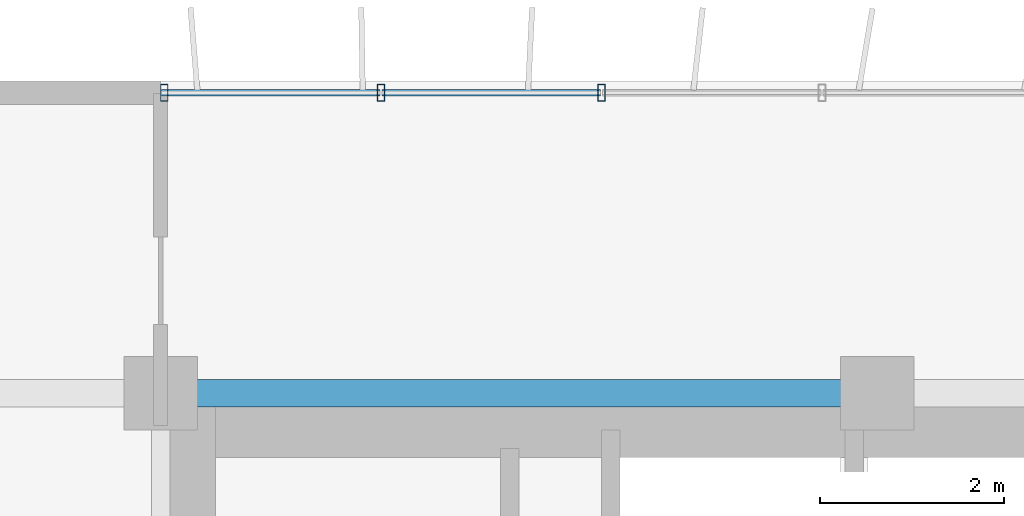
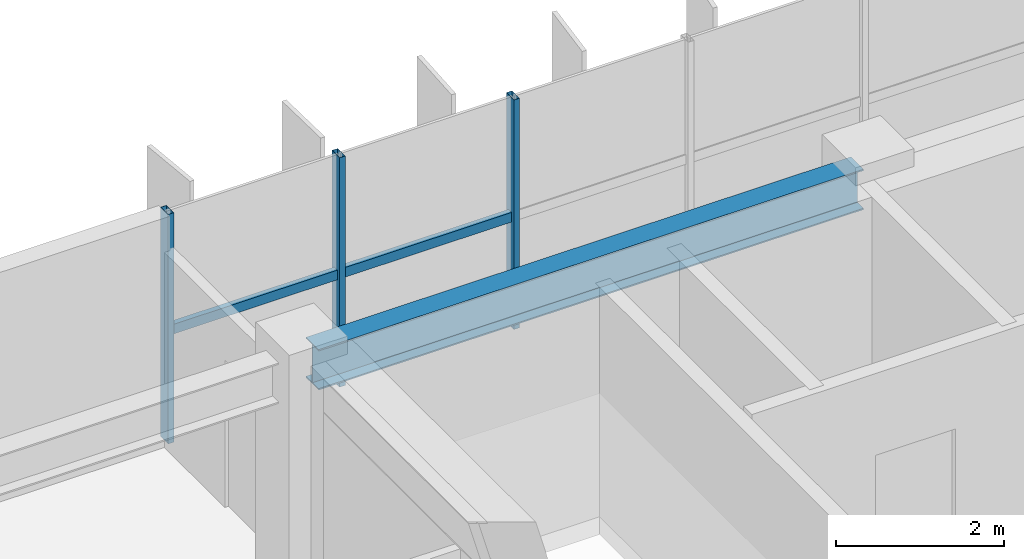
# One storey, part 9 of 26: 5 members, 1 beam, 1 element without a shape of its own.
"""IFC4 building model written with IfcOpenShell, lengths in metres."""

from ifc_helpers import new_model, si_unit, direction, frame, origin, origin_2d, place, context, subcontext, project, spatial, hollow_rectangle, i_section, extrude, source, transform, mapped, material, material_profile, profile_set, type_object, element, aggregate, save


model = new_model("IFC4")

# Units and contexts
model_context = context("Model", 3, precision=1e-05, world=origin(), true_north=direction((0.0, 1.0)))
body_context = subcontext(model_context, "Body", "Model", "MODEL_VIEW")
ifc_project = project(units=[si_unit("LENGTHUNIT", "METRE"), si_unit("AREAUNIT", "SQUARE_METRE"), si_unit("VOLUMEUNIT", "CUBIC_METRE"), si_unit("PLANEANGLEUNIT", "RADIAN"), si_unit("MASSUNIT", "GRAM", prefix="KILO")], contexts=[model_context])

# Site, building, storey
site_placement = place(None, origin())
site = spatial("IfcSite", under=ifc_project, at=site_placement, CompositionType="ELEMENT")
building_placement = place(site_placement, origin())
building = spatial("IfcBuilding", under=site, at=building_placement, Name="Trelvane Seafront Commons", CompositionType="ELEMENT")
storey_placement = place(building_placement, frame((0.0, 0.0, 124.89990234375)))
storey = spatial("IfcBuildingStorey", under=building, at=storey_placement, Name="L32", CompositionType="ELEMENT", Elevation=124.89990234375)

# Beam
ifc_material_1 = material(Name="Steel SM355 (S355)", Category="steel")
ifc_material_profile_1 = material_profile(ifc_material_1, i_section(OverallWidth=0.300048828125, OverallDepth=0.587890625, WebThickness=0.011962890625, FlangeThickness=0.02001953125, at=origin_2d()), Name="H-588x300x12x20")
ifc_profile_set_1 = profile_set([ifc_material_profile_1], Name="Steel SM355 (S355)")
beam_type = type_object("IfcBeamType", Name="STR-BM-H588", PredefinedType="BEAM", material=ifc_profile_set_1)
shared_shape_1 = source(origin(), body_context, "Body", "SweptSolid", [
    extrude(i_section(OverallWidth=0.300048828125, OverallDepth=0.587890625, WebThickness=0.011962890625, FlangeThickness=0.02001953125, at=origin_2d()), origin(), (0.0, 0.0, 1.0), 7.5),
])
beam_placement = place(storey_placement, frame((15.75, 45.10009765625, 3.046142578125), z_axis=(1.0, 0.0, 0.0), x_axis=(0.0, 1.0, 0.0)))
element("IfcBeam", 1, at=beam_placement, inside=storey, type_object=beam_type, Name="L32 Primary Girder G-30", PredefinedType="BEAM", context=body_context, shape_type="MappedRepresentation", body=[
    mapped(shared_shape_1, transform((0.0, 0.0, 0.0), x_axis=(1.0, 0.0, 0.0), y_axis=(0.0, 1.0, 0.0), z_axis=(0.0, 0.0, 1.0), scale=1.0)),
])

# Curtain wall, members
ifc_material_2 = material(Name="Anodised pale-silver aluminium", Category="aluminium")
curtain_wall_type = type_object("IfcCurtainWallType", Name="ARCH-CW4-SKYLOBBY", PredefinedType="NOTDEFINED", material=ifc_material_2)
curtain_wall_placement = place(storey_placement, origin())
curtain_wall = element("IfcCurtainWall", 2, at=curtain_wall_placement, inside=storey, type_object=curtain_wall_type, Name="CW-L32-0057", PredefinedType="NOTDEFINED")
ifc_material_profile_2 = material_profile(ifc_material_2, hollow_rectangle(XDim=0.074951171875, YDim=0.139892578125, WallThickness=0.00390625, at=origin_2d()), Name="TRAN-75x140x4")
ifc_profile_set_2 = profile_set([ifc_material_profile_2], Name="Anodised pale-silver aluminium")
member_type_1 = type_object("IfcMemberType", Name="ARCH-CW-TRAN-140", PredefinedType="USERDEFINED", material=ifc_profile_set_2)
shared_shape_2 = source(origin(), body_context, "Body", "SweptSolid", [
    extrude(hollow_rectangle(XDim=0.074951171875, YDim=0.139892578125, WallThickness=0.00390625, at=origin_2d()), origin(), (0.0, 0.0, 1.0), 2.3759765625),
])
member_1_placement = place(storey_placement, frame((15.612060546875, 48.3701171875, 1.60302734375), z_axis=(1.0, 0.0, 0.0), x_axis=(0.0, 1.0, 0.0)))
member_1 = element("IfcMember", 3, at=member_1_placement, type_object=member_type_1, Name="CW-L32-0057-T00", ObjectType="TRANSOM", PredefinedType="USERDEFINED", context=body_context, shape_type="MappedRepresentation", body=[
    mapped(shared_shape_2, transform((0.0, 0.0, 0.0), x_axis=(1.0, 0.0, 0.0), y_axis=(0.0, 1.0, 0.0), z_axis=(0.0, 0.0, 1.0), scale=1.0)),
])
member_2_placement = place(storey_placement, frame((18.011962890625, 48.3701171875, 1.60302734375), z_axis=(1.0, 0.0, 0.0), x_axis=(0.0, 1.0, 0.0)))
member_2 = element("IfcMember", 4, at=member_2_placement, type_object=member_type_1, Name="CW-L32-0057-T01", ObjectType="TRANSOM", PredefinedType="USERDEFINED", context=body_context, shape_type="MappedRepresentation", body=[
    mapped(shared_shape_2, transform((0.0, 0.0, 0.0), x_axis=(1.0, 0.0, 0.0), y_axis=(0.0, 1.0, 0.0), z_axis=(0.0, 0.0, 1.0), scale=1.0)),
])
ifc_material_profile_3 = material_profile(ifc_material_2, hollow_rectangle(XDim=0.080078125, YDim=0.179931640625, WallThickness=0.00439453125, at=origin_2d()), Name="MULL-80x180x4.5")
ifc_profile_set_3 = profile_set([ifc_material_profile_3], Name="Anodised pale-silver aluminium")
member_type_2 = type_object("IfcMemberType", Name="ARCH-CW-MULL-180", PredefinedType="MULLION", material=ifc_profile_set_3)
shared_shape_3 = source(origin(), body_context, "Body", "SweptSolid", [
    extrude(hollow_rectangle(XDim=0.080078125, YDim=0.179931640625, WallThickness=0.00439453125, at=origin_2d()), origin(), (0.0, 0.0, 1.0), 3.340087890625),
])
member_3_placement = place(storey_placement, frame((15.639892578125, 48.3701171875, 0.0), z_axis=(0.0, 0.0, 1.0), x_axis=(1.0, 0.0, 0.0)))
member_3 = element("IfcMember", 5, at=member_3_placement, type_object=member_type_2, Name="CW-L32-0057-M00", PredefinedType="MULLION", context=body_context, shape_type="MappedRepresentation", body=[
    mapped(shared_shape_3, transform((0.0, 0.0, 0.0), x_axis=(1.0, 0.0, 0.0), y_axis=(0.0, 1.0, 0.0), z_axis=(0.0, 0.0, 1.0), scale=1.0)),
])
member_4_placement = place(storey_placement, frame((18.0, 48.3701171875, 0.0), z_axis=(0.0, 0.0, 1.0), x_axis=(1.0, 0.0, 0.0)))
member_4 = element("IfcMember", 6, at=member_4_placement, type_object=member_type_2, Name="CW-L32-0057-M01", PredefinedType="MULLION", context=body_context, shape_type="MappedRepresentation", body=[
    mapped(shared_shape_3, transform((0.0, 0.0, 0.0), x_axis=(1.0, 0.0, 0.0), y_axis=(0.0, 1.0, 0.0), z_axis=(0.0, 0.0, 1.0), scale=1.0)),
])
member_5_placement = place(storey_placement, frame((20.39990234375, 48.3701171875, 0.0), z_axis=(0.0, 0.0, 1.0), x_axis=(1.0, 0.0, 0.0)))
member_5 = element("IfcMember", 7, at=member_5_placement, type_object=member_type_2, Name="CW-L32-0057-M02", PredefinedType="MULLION", context=body_context, shape_type="MappedRepresentation", body=[
    mapped(shared_shape_3, transform((0.0, 0.0, 0.0), x_axis=(1.0, 0.0, 0.0), y_axis=(0.0, 1.0, 0.0), z_axis=(0.0, 0.0, 1.0), scale=1.0)),
])
aggregate(curtain_wall, [member_3, member_4, member_5, member_1, member_2])

save(model, "model.ifc")
